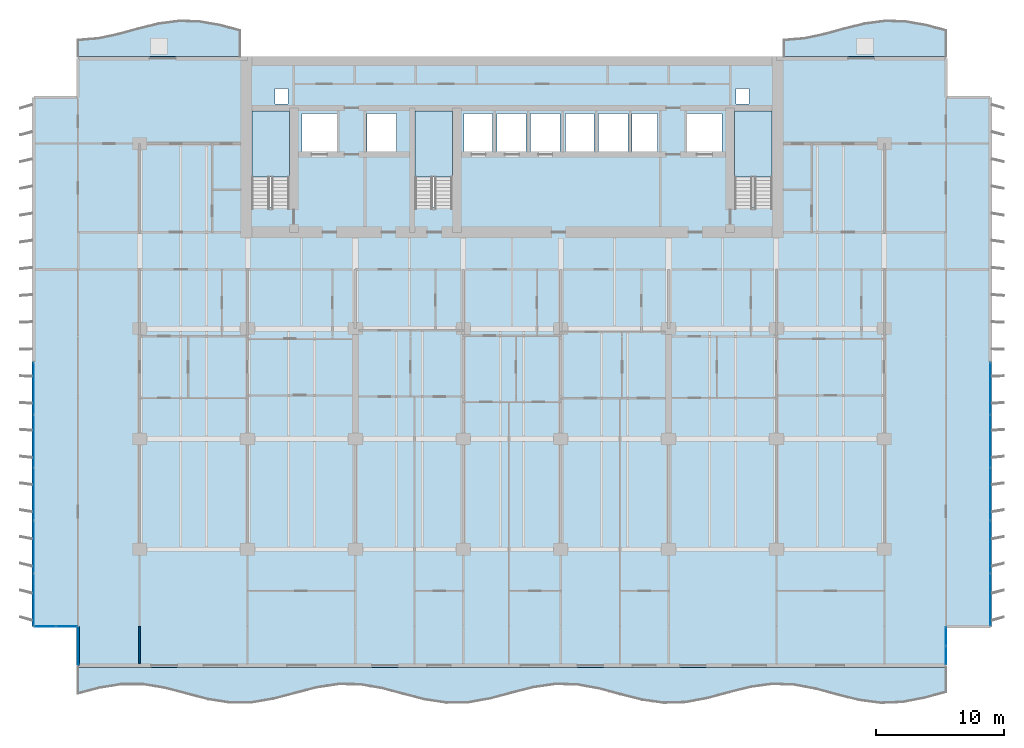
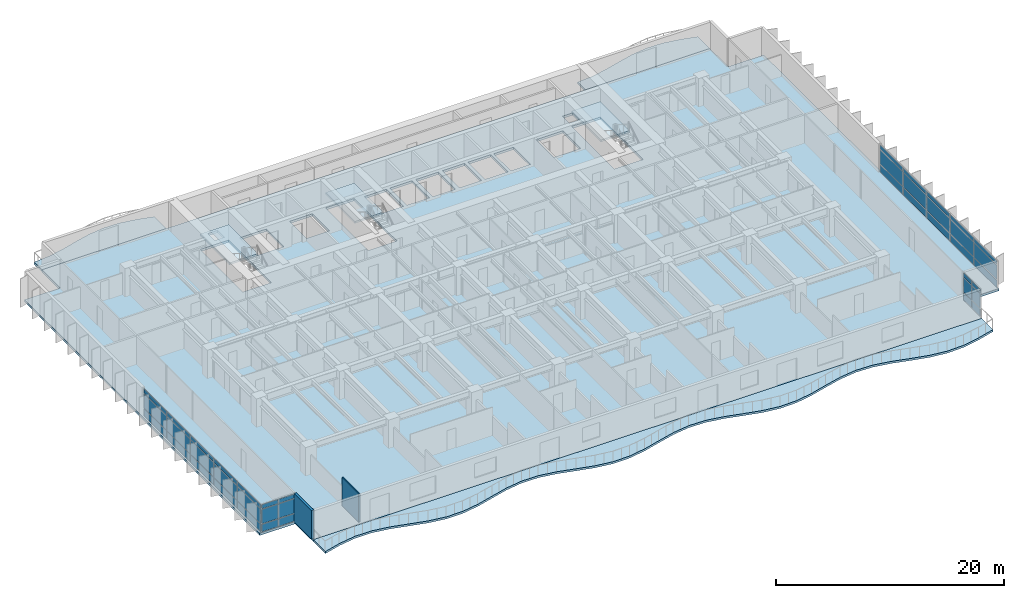
# One storey, part 5 of 18: 42 plates, 7 slabs, 2 walls, 7 elements without a shape of their own.
"""IFC4 building model written with IfcOpenShell, lengths in metres."""

from ifc_helpers import new_model, si_unit, direction, frame, frame_2d, origin, origin_2d, place, context, subcontext, project, spatial, polyline, rectangle, outline, extrude, material, layer, layer_set, type_object, element, aggregate, save


model = new_model("IFC4")

# Units and contexts
model_context = context("Model", 3, precision=1e-05, world=origin(), true_north=direction((0.0, 1.0)))
body_context = subcontext(model_context, "Body", "Model", "MODEL_VIEW")
ifc_project = project(units=[si_unit("LENGTHUNIT", "METRE"), si_unit("AREAUNIT", "SQUARE_METRE"), si_unit("VOLUMEUNIT", "CUBIC_METRE"), si_unit("PLANEANGLEUNIT", "RADIAN"), si_unit("MASSUNIT", "GRAM", prefix="KILO")], contexts=[model_context])

# Site, building, storey
site_placement = place(None, origin())
site = spatial("IfcSite", under=ifc_project, at=site_placement, CompositionType="ELEMENT")
building_placement = place(site_placement, origin())
building = spatial("IfcBuilding", under=site, at=building_placement, Name="Caelmar Bay Residences", CompositionType="ELEMENT")
storey_placement = place(building_placement, frame((0.0, 0.0, 46.5)))
storey = spatial("IfcBuildingStorey", under=building, at=storey_placement, Name="L11", CompositionType="ELEMENT", Elevation=46.5)

# Curtain wall, plates
ifc_material_1 = material(Name="Anodised bronze aluminium 6063-T6 and laminated glass", Category="aluminium")
ifc_layer_1 = layer(ifc_material_1, 0.179931640625)
ifc_layer_set_1 = layer_set([ifc_layer_1], Name="Anodised bronze aluminium 6063-T6 and laminated glass")
curtain_wall_type_1 = type_object("IfcCurtainWallType", Name="CW6-NTC", PredefinedType="NOTDEFINED", material=ifc_layer_set_1)
curtain_wall_1_placement = place(storey_placement, origin())
curtain_wall_1 = element("IfcCurtainWall", 1, at=curtain_wall_1_placement, inside=storey, type_object=curtain_wall_type_1, Name="CW6 curtain wall L11", PredefinedType="NOTDEFINED")
ifc_material_2 = material(Name="Bronze-tinted laminated low-E hurricane glass 28 mm", Category="glass")
ifc_layer_2 = layer(ifc_material_2, 0.028076171875)
ifc_layer_set_2 = layer_set([ifc_layer_2], Name="Bronze-tinted laminated low-E hurricane glass 28 mm")
plate_type = type_object("IfcPlateType", Name="CWP-GLZ28", PredefinedType="CURTAIN_PANEL", material=ifc_layer_set_2)
plate_1_placement = place(storey_placement, frame((2.532470703125, 6.199951171875, 0.080078125), z_axis=(0.0, 0.0, 1.0), x_axis=(1.0, 0.0, 0.0)))
plate_1 = element("IfcPlate", 2, at=plate_1_placement, type_object=plate_type, Name="CW6 panel 1.1", PredefinedType="CURTAIN_PANEL", context=body_context, shape_type="SweptSolid", body=[
    extrude(rectangle(XDim=1.60498046875, YDim=0.028076171875, at=origin_2d()), origin(), (0.0, 0.0, 1.0), 0.780029296875),
])
plate_2_placement = place(storey_placement, frame((2.532470703125, 6.199951171875, 0.93994140625), z_axis=(0.0, 0.0, 1.0), x_axis=(1.0, 0.0, 0.0)))
plate_2 = element("IfcPlate", 3, at=plate_2_placement, type_object=plate_type, Name="CW6 panel 1.2", PredefinedType="CURTAIN_PANEL", context=body_context, shape_type="SweptSolid", body=[
    extrude(rectangle(XDim=1.60498046875, YDim=0.028076171875, at=origin_2d()), origin(), (0.0, 0.0, 1.0), 1.52001953125),
])
plate_3_placement = place(storey_placement, frame((2.532470703125, 6.199951171875, 2.5400390625), z_axis=(0.0, 0.0, 1.0), x_axis=(1.0, 0.0, 0.0)))
plate_3 = element("IfcPlate", 4, at=plate_3_placement, type_object=plate_type, Name="CW6 panel 1.3", PredefinedType="CURTAIN_PANEL", context=body_context, shape_type="SweptSolid", body=[
    extrude(rectangle(XDim=1.60498046875, YDim=0.028076171875, at=origin_2d()), origin(), (0.0, 0.0, 1.0), 0.429931640625),
])
plate_4_placement = place(storey_placement, frame((4.217529296875, 6.199951171875, 0.080078125), z_axis=(0.0, 0.0, 1.0), x_axis=(1.0, 0.0, 0.0)))
plate_4 = element("IfcPlate", 5, at=plate_4_placement, type_object=plate_type, Name="CW6 panel 2.1", PredefinedType="CURTAIN_PANEL", context=body_context, shape_type="SweptSolid", body=[
    extrude(rectangle(XDim=1.60498046875, YDim=0.028076171875, at=origin_2d()), origin(), (0.0, 0.0, 1.0), 0.780029296875),
])
plate_5_placement = place(storey_placement, frame((4.217529296875, 6.199951171875, 0.93994140625), z_axis=(0.0, 0.0, 1.0), x_axis=(1.0, 0.0, 0.0)))
plate_5 = element("IfcPlate", 6, at=plate_5_placement, type_object=plate_type, Name="CW6 panel 2.2", PredefinedType="CURTAIN_PANEL", context=body_context, shape_type="SweptSolid", body=[
    extrude(rectangle(XDim=1.60498046875, YDim=0.028076171875, at=origin_2d()), origin(), (0.0, 0.0, 1.0), 1.52001953125),
])
plate_6_placement = place(storey_placement, frame((4.217529296875, 6.199951171875, 2.5400390625), z_axis=(0.0, 0.0, 1.0), x_axis=(1.0, 0.0, 0.0)))
plate_6 = element("IfcPlate", 7, at=plate_6_placement, type_object=plate_type, Name="CW6 panel 2.3", PredefinedType="CURTAIN_PANEL", context=body_context, shape_type="SweptSolid", body=[
    extrude(rectangle(XDim=1.60498046875, YDim=0.028076171875, at=origin_2d()), origin(), (0.0, 0.0, 1.0), 0.429931640625),
])
aggregate(curtain_wall_1, [plate_1, plate_2, plate_3, plate_4, plate_5, plate_6])

curtain_wall_2_placement = place(storey_placement, origin())
curtain_wall_2 = element("IfcCurtainWall", 8, at=curtain_wall_2_placement, inside=storey, type_object=curtain_wall_type_1, Name="CW6 curtain wall L11", PredefinedType="NOTDEFINED")
plate_7_placement = place(storey_placement, frame((72.699951171875, 3.9326171875, 0.080078125), z_axis=(0.0, 0.0, 1.0), x_axis=(0.0, 1.0, 0.0)))
plate_7 = element("IfcPlate", 9, at=plate_7_placement, type_object=plate_type, Name="CW6 panel 1.1", PredefinedType="CURTAIN_PANEL", context=body_context, shape_type="SweptSolid", body=[
    extrude(rectangle(XDim=1.405029296875, YDim=0.028076171875, at=origin_2d()), origin(), (0.0, 0.0, 1.0), 0.780029296875),
])
plate_8_placement = place(storey_placement, frame((72.699951171875, 3.9326171875, 0.93994140625), z_axis=(0.0, 0.0, 1.0), x_axis=(0.0, 1.0, 0.0)))
plate_8 = element("IfcPlate", 10, at=plate_8_placement, type_object=plate_type, Name="CW6 panel 1.2", PredefinedType="CURTAIN_PANEL", context=body_context, shape_type="SweptSolid", body=[
    extrude(rectangle(XDim=1.405029296875, YDim=0.028076171875, at=origin_2d()), origin(), (0.0, 0.0, 1.0), 1.52001953125),
])
plate_9_placement = place(storey_placement, frame((72.699951171875, 3.9326171875, 2.5400390625), z_axis=(0.0, 0.0, 1.0), x_axis=(0.0, 1.0, 0.0)))
plate_9 = element("IfcPlate", 11, at=plate_9_placement, type_object=plate_type, Name="CW6 panel 1.3", PredefinedType="CURTAIN_PANEL", context=body_context, shape_type="SweptSolid", body=[
    extrude(rectangle(XDim=1.405029296875, YDim=0.028076171875, at=origin_2d()), origin(), (0.0, 0.0, 1.0), 0.429931640625),
])
plate_10_placement = place(storey_placement, frame((72.699951171875, 5.41748046875, 0.080078125), z_axis=(0.0, 0.0, 1.0), x_axis=(0.0, 1.0, 0.0)))
plate_10 = element("IfcPlate", 12, at=plate_10_placement, type_object=plate_type, Name="CW6 panel 2.1", PredefinedType="CURTAIN_PANEL", context=body_context, shape_type="SweptSolid", body=[
    extrude(rectangle(XDim=1.405029296875, YDim=0.028076171875, at=origin_2d()), origin(), (0.0, 0.0, 1.0), 0.780029296875),
])
plate_11_placement = place(storey_placement, frame((72.699951171875, 5.41748046875, 0.93994140625), z_axis=(0.0, 0.0, 1.0), x_axis=(0.0, 1.0, 0.0)))
plate_11 = element("IfcPlate", 13, at=plate_11_placement, type_object=plate_type, Name="CW6 panel 2.2", PredefinedType="CURTAIN_PANEL", context=body_context, shape_type="SweptSolid", body=[
    extrude(rectangle(XDim=1.405029296875, YDim=0.028076171875, at=origin_2d()), origin(), (0.0, 0.0, 1.0), 1.52001953125),
])
plate_12_placement = place(storey_placement, frame((72.699951171875, 5.41748046875, 2.5400390625), z_axis=(0.0, 0.0, 1.0), x_axis=(0.0, 1.0, 0.0)))
plate_12 = element("IfcPlate", 14, at=plate_12_placement, type_object=plate_type, Name="CW6 panel 2.3", PredefinedType="CURTAIN_PANEL", context=body_context, shape_type="SweptSolid", body=[
    extrude(rectangle(XDim=1.405029296875, YDim=0.028076171875, at=origin_2d()), origin(), (0.0, 0.0, 1.0), 0.429931640625),
])
aggregate(curtain_wall_2, [plate_7, plate_8, plate_9, plate_10, plate_11, plate_12])

ifc_layer_3 = layer(ifc_material_1, 0.179931640625)
ifc_layer_set_3 = layer_set([ifc_layer_3], Name="Anodised bronze aluminium 6063-T6 and laminated glass")
curtain_wall_type_2 = type_object("IfcCurtainWallType", Name="CW2-Z1", PredefinedType="NOTDEFINED", material=ifc_layer_set_3)
curtain_wall_3_placement = place(storey_placement, origin())
curtain_wall_3 = element("IfcCurtainWall", 15, at=curtain_wall_3_placement, inside=storey, type_object=curtain_wall_type_2, Name="CW2 curtain wall L11", PredefinedType="NOTDEFINED")
plate_13_placement = place(storey_placement, frame((1.64990234375, 8.280029296875, 0.080078125), z_axis=(0.0, 0.0, 1.0), x_axis=(0.0, 1.0, 0.0)))
plate_13 = element("IfcPlate", 16, at=plate_13_placement, type_object=plate_type, Name="CW2 panel 1.1", PredefinedType="CURTAIN_PANEL", context=body_context, shape_type="SweptSolid", body=[
    extrude(rectangle(XDim=4.0, YDim=0.028076171875, at=origin_2d()), origin(), (0.0, 0.0, 1.0), 0.780029296875),
])
plate_14_placement = place(storey_placement, frame((1.64990234375, 8.280029296875, 0.93994140625), z_axis=(0.0, 0.0, 1.0), x_axis=(0.0, 1.0, 0.0)))
plate_14 = element("IfcPlate", 17, at=plate_14_placement, type_object=plate_type, Name="CW2 panel 1.2", PredefinedType="CURTAIN_PANEL", context=body_context, shape_type="SweptSolid", body=[
    extrude(rectangle(XDim=4.0, YDim=0.028076171875, at=origin_2d()), origin(), (0.0, 0.0, 1.0), 1.52001953125),
])
plate_15_placement = place(storey_placement, frame((1.64990234375, 8.280029296875, 2.5400390625), z_axis=(0.0, 0.0, 1.0), x_axis=(0.0, 1.0, 0.0)))
plate_15 = element("IfcPlate", 18, at=plate_15_placement, type_object=plate_type, Name="CW2 panel 1.3", PredefinedType="CURTAIN_PANEL", context=body_context, shape_type="SweptSolid", body=[
    extrude(rectangle(XDim=4.0, YDim=0.028076171875, at=origin_2d()), origin(), (0.0, 0.0, 1.0), 0.429931640625),
])
plate_16_placement = place(storey_placement, frame((1.64990234375, 12.3798828125, 0.080078125), z_axis=(0.0, 0.0, 1.0), x_axis=(0.0, 1.0, 0.0)))
plate_16 = element("IfcPlate", 19, at=plate_16_placement, type_object=plate_type, Name="CW2 panel 2.1", PredefinedType="CURTAIN_PANEL", context=body_context, shape_type="SweptSolid", body=[
    extrude(rectangle(XDim=4.0400390625, YDim=0.028076171875, at=origin_2d()), origin(), (0.0, 0.0, 1.0), 0.780029296875),
])
plate_17_placement = place(storey_placement, frame((1.64990234375, 12.3798828125, 0.93994140625), z_axis=(0.0, 0.0, 1.0), x_axis=(0.0, 1.0, 0.0)))
plate_17 = element("IfcPlate", 20, at=plate_17_placement, type_object=plate_type, Name="CW2 panel 2.2", PredefinedType="CURTAIN_PANEL", context=body_context, shape_type="SweptSolid", body=[
    extrude(rectangle(XDim=4.0400390625, YDim=0.028076171875, at=origin_2d()), origin(), (0.0, 0.0, 1.0), 1.52001953125),
])
plate_18_placement = place(storey_placement, frame((1.64990234375, 12.3798828125, 2.5400390625), z_axis=(0.0, 0.0, 1.0), x_axis=(0.0, 1.0, 0.0)))
plate_18 = element("IfcPlate", 21, at=plate_18_placement, type_object=plate_type, Name="CW2 panel 2.3", PredefinedType="CURTAIN_PANEL", context=body_context, shape_type="SweptSolid", body=[
    extrude(rectangle(XDim=4.0400390625, YDim=0.028076171875, at=origin_2d()), origin(), (0.0, 0.0, 1.0), 0.429931640625),
])
plate_19_placement = place(storey_placement, frame((1.64990234375, 16.5, 0.080078125), z_axis=(0.0, 0.0, 1.0), x_axis=(0.0, 1.0, 0.0)))
plate_19 = element("IfcPlate", 22, at=plate_19_placement, type_object=plate_type, Name="CW2 panel 3.1", PredefinedType="CURTAIN_PANEL", context=body_context, shape_type="SweptSolid", body=[
    extrude(rectangle(XDim=4.0400390625, YDim=0.028076171875, at=origin_2d()), origin(), (0.0, 0.0, 1.0), 0.780029296875),
])
plate_20_placement = place(storey_placement, frame((1.64990234375, 16.5, 0.93994140625), z_axis=(0.0, 0.0, 1.0), x_axis=(0.0, 1.0, 0.0)))
plate_20 = element("IfcPlate", 23, at=plate_20_placement, type_object=plate_type, Name="CW2 panel 3.2", PredefinedType="CURTAIN_PANEL", context=body_context, shape_type="SweptSolid", body=[
    extrude(rectangle(XDim=4.0400390625, YDim=0.028076171875, at=origin_2d()), origin(), (0.0, 0.0, 1.0), 1.52001953125),
])
plate_21_placement = place(storey_placement, frame((1.64990234375, 16.5, 2.5400390625), z_axis=(0.0, 0.0, 1.0), x_axis=(0.0, 1.0, 0.0)))
plate_21 = element("IfcPlate", 24, at=plate_21_placement, type_object=plate_type, Name="CW2 panel 3.3", PredefinedType="CURTAIN_PANEL", context=body_context, shape_type="SweptSolid", body=[
    extrude(rectangle(XDim=4.0400390625, YDim=0.028076171875, at=origin_2d()), origin(), (0.0, 0.0, 1.0), 0.429931640625),
])
plate_22_placement = place(storey_placement, frame((1.64990234375, 20.6201171875, 0.080078125), z_axis=(0.0, 0.0, 1.0), x_axis=(0.0, 1.0, 0.0)))
plate_22 = element("IfcPlate", 25, at=plate_22_placement, type_object=plate_type, Name="CW2 panel 4.1", PredefinedType="CURTAIN_PANEL", context=body_context, shape_type="SweptSolid", body=[
    extrude(rectangle(XDim=4.0400390625, YDim=0.028076171875, at=origin_2d()), origin(), (0.0, 0.0, 1.0), 0.780029296875),
])
plate_23_placement = place(storey_placement, frame((1.64990234375, 20.6201171875, 0.93994140625), z_axis=(0.0, 0.0, 1.0), x_axis=(0.0, 1.0, 0.0)))
plate_23 = element("IfcPlate", 26, at=plate_23_placement, type_object=plate_type, Name="CW2 panel 4.2", PredefinedType="CURTAIN_PANEL", context=body_context, shape_type="SweptSolid", body=[
    extrude(rectangle(XDim=4.0400390625, YDim=0.028076171875, at=origin_2d()), origin(), (0.0, 0.0, 1.0), 1.52001953125),
])
plate_24_placement = place(storey_placement, frame((1.64990234375, 20.6201171875, 2.5400390625), z_axis=(0.0, 0.0, 1.0), x_axis=(0.0, 1.0, 0.0)))
plate_24 = element("IfcPlate", 27, at=plate_24_placement, type_object=plate_type, Name="CW2 panel 4.3", PredefinedType="CURTAIN_PANEL", context=body_context, shape_type="SweptSolid", body=[
    extrude(rectangle(XDim=4.0400390625, YDim=0.028076171875, at=origin_2d()), origin(), (0.0, 0.0, 1.0), 0.429931640625),
])
plate_25_placement = place(storey_placement, frame((1.64990234375, 24.719970703125, 0.080078125), z_axis=(0.0, 0.0, 1.0), x_axis=(0.0, 1.0, 0.0)))
plate_25 = element("IfcPlate", 28, at=plate_25_placement, type_object=plate_type, Name="CW2 panel 5.1", PredefinedType="CURTAIN_PANEL", context=body_context, shape_type="SweptSolid", body=[
    extrude(rectangle(XDim=4.0, YDim=0.028076171875, at=origin_2d()), origin(), (0.0, 0.0, 1.0), 0.780029296875),
])
plate_26_placement = place(storey_placement, frame((1.64990234375, 24.719970703125, 0.93994140625), z_axis=(0.0, 0.0, 1.0), x_axis=(0.0, 1.0, 0.0)))
plate_26 = element("IfcPlate", 29, at=plate_26_placement, type_object=plate_type, Name="CW2 panel 5.2", PredefinedType="CURTAIN_PANEL", context=body_context, shape_type="SweptSolid", body=[
    extrude(rectangle(XDim=4.0, YDim=0.028076171875, at=origin_2d()), origin(), (0.0, 0.0, 1.0), 1.52001953125),
])
plate_27_placement = place(storey_placement, frame((1.64990234375, 24.719970703125, 2.5400390625), z_axis=(0.0, 0.0, 1.0), x_axis=(0.0, 1.0, 0.0)))
plate_27 = element("IfcPlate", 30, at=plate_27_placement, type_object=plate_type, Name="CW2 panel 5.3", PredefinedType="CURTAIN_PANEL", context=body_context, shape_type="SweptSolid", body=[
    extrude(rectangle(XDim=4.0, YDim=0.028076171875, at=origin_2d()), origin(), (0.0, 0.0, 1.0), 0.429931640625),
])
aggregate(curtain_wall_3, [plate_13, plate_14, plate_15, plate_16, plate_17, plate_18, plate_19, plate_20, plate_21, plate_22, plate_23, plate_24, plate_25, plate_26, plate_27])

curtain_wall_4_placement = place(storey_placement, origin())
curtain_wall_4 = element("IfcCurtainWall", 31, at=curtain_wall_4_placement, inside=storey, type_object=curtain_wall_type_2, Name="CW2 curtain wall L11", PredefinedType="NOTDEFINED")
plate_28_placement = place(storey_placement, frame((76.14990234375, 24.719970703125, 0.080078125), z_axis=(0.0, 0.0, 1.0), x_axis=(0.0, -1.0, 0.0)))
plate_28 = element("IfcPlate", 32, at=plate_28_placement, type_object=plate_type, Name="CW2 panel 1.1", PredefinedType="CURTAIN_PANEL", context=body_context, shape_type="SweptSolid", body=[
    extrude(rectangle(XDim=4.0, YDim=0.028076171875, at=origin_2d()), origin(), (0.0, 0.0, 1.0), 0.780029296875),
])
plate_29_placement = place(storey_placement, frame((76.14990234375, 24.719970703125, 0.93994140625), z_axis=(0.0, 0.0, 1.0), x_axis=(0.0, -1.0, 0.0)))
plate_29 = element("IfcPlate", 33, at=plate_29_placement, type_object=plate_type, Name="CW2 panel 1.2", PredefinedType="CURTAIN_PANEL", context=body_context, shape_type="SweptSolid", body=[
    extrude(rectangle(XDim=4.0, YDim=0.028076171875, at=origin_2d()), origin(), (0.0, 0.0, 1.0), 1.52001953125),
])
plate_30_placement = place(storey_placement, frame((76.14990234375, 24.719970703125, 2.5400390625), z_axis=(0.0, 0.0, 1.0), x_axis=(0.0, -1.0, 0.0)))
plate_30 = element("IfcPlate", 34, at=plate_30_placement, type_object=plate_type, Name="CW2 panel 1.3", PredefinedType="CURTAIN_PANEL", context=body_context, shape_type="SweptSolid", body=[
    extrude(rectangle(XDim=4.0, YDim=0.028076171875, at=origin_2d()), origin(), (0.0, 0.0, 1.0), 0.429931640625),
])
plate_31_placement = place(storey_placement, frame((76.14990234375, 20.6201171875, 0.080078125), z_axis=(0.0, 0.0, 1.0), x_axis=(0.0, -1.0, 0.0)))
plate_31 = element("IfcPlate", 35, at=plate_31_placement, type_object=plate_type, Name="CW2 panel 2.1", PredefinedType="CURTAIN_PANEL", context=body_context, shape_type="SweptSolid", body=[
    extrude(rectangle(XDim=4.0400390625, YDim=0.028076171875, at=origin_2d()), origin(), (0.0, 0.0, 1.0), 0.780029296875),
])
plate_32_placement = place(storey_placement, frame((76.14990234375, 20.6201171875, 0.93994140625), z_axis=(0.0, 0.0, 1.0), x_axis=(0.0, -1.0, 0.0)))
plate_32 = element("IfcPlate", 36, at=plate_32_placement, type_object=plate_type, Name="CW2 panel 2.2", PredefinedType="CURTAIN_PANEL", context=body_context, shape_type="SweptSolid", body=[
    extrude(rectangle(XDim=4.0400390625, YDim=0.028076171875, at=origin_2d()), origin(), (0.0, 0.0, 1.0), 1.52001953125),
])
plate_33_placement = place(storey_placement, frame((76.14990234375, 20.6201171875, 2.5400390625), z_axis=(0.0, 0.0, 1.0), x_axis=(0.0, -1.0, 0.0)))
plate_33 = element("IfcPlate", 37, at=plate_33_placement, type_object=plate_type, Name="CW2 panel 2.3", PredefinedType="CURTAIN_PANEL", context=body_context, shape_type="SweptSolid", body=[
    extrude(rectangle(XDim=4.0400390625, YDim=0.028076171875, at=origin_2d()), origin(), (0.0, 0.0, 1.0), 0.429931640625),
])
plate_34_placement = place(storey_placement, frame((76.14990234375, 16.5, 0.080078125), z_axis=(0.0, 0.0, 1.0), x_axis=(0.0, -1.0, 0.0)))
plate_34 = element("IfcPlate", 38, at=plate_34_placement, type_object=plate_type, Name="CW2 panel 3.1", PredefinedType="CURTAIN_PANEL", context=body_context, shape_type="SweptSolid", body=[
    extrude(rectangle(XDim=4.0400390625, YDim=0.028076171875, at=origin_2d()), origin(), (0.0, 0.0, 1.0), 0.780029296875),
])
plate_35_placement = place(storey_placement, frame((76.14990234375, 16.5, 0.93994140625), z_axis=(0.0, 0.0, 1.0), x_axis=(0.0, -1.0, 0.0)))
plate_35 = element("IfcPlate", 39, at=plate_35_placement, type_object=plate_type, Name="CW2 panel 3.2", PredefinedType="CURTAIN_PANEL", context=body_context, shape_type="SweptSolid", body=[
    extrude(rectangle(XDim=4.0400390625, YDim=0.028076171875, at=origin_2d()), origin(), (0.0, 0.0, 1.0), 1.52001953125),
])
plate_36_placement = place(storey_placement, frame((76.14990234375, 16.5, 2.5400390625), z_axis=(0.0, 0.0, 1.0), x_axis=(0.0, -1.0, 0.0)))
plate_36 = element("IfcPlate", 40, at=plate_36_placement, type_object=plate_type, Name="CW2 panel 3.3", PredefinedType="CURTAIN_PANEL", context=body_context, shape_type="SweptSolid", body=[
    extrude(rectangle(XDim=4.0400390625, YDim=0.028076171875, at=origin_2d()), origin(), (0.0, 0.0, 1.0), 0.429931640625),
])
plate_37_placement = place(storey_placement, frame((76.14990234375, 12.3798828125, 0.080078125), z_axis=(0.0, 0.0, 1.0), x_axis=(0.0, -1.0, 0.0)))
plate_37 = element("IfcPlate", 41, at=plate_37_placement, type_object=plate_type, Name="CW2 panel 4.1", PredefinedType="CURTAIN_PANEL", context=body_context, shape_type="SweptSolid", body=[
    extrude(rectangle(XDim=4.0400390625, YDim=0.028076171875, at=origin_2d()), origin(), (0.0, 0.0, 1.0), 0.780029296875),
])
plate_38_placement = place(storey_placement, frame((76.14990234375, 12.3798828125, 0.93994140625), z_axis=(0.0, 0.0, 1.0), x_axis=(0.0, -1.0, 0.0)))
plate_38 = element("IfcPlate", 42, at=plate_38_placement, type_object=plate_type, Name="CW2 panel 4.2", PredefinedType="CURTAIN_PANEL", context=body_context, shape_type="SweptSolid", body=[
    extrude(rectangle(XDim=4.0400390625, YDim=0.028076171875, at=origin_2d()), origin(), (0.0, 0.0, 1.0), 1.52001953125),
])
plate_39_placement = place(storey_placement, frame((76.14990234375, 12.3798828125, 2.5400390625), z_axis=(0.0, 0.0, 1.0), x_axis=(0.0, -1.0, 0.0)))
plate_39 = element("IfcPlate", 43, at=plate_39_placement, type_object=plate_type, Name="CW2 panel 4.3", PredefinedType="CURTAIN_PANEL", context=body_context, shape_type="SweptSolid", body=[
    extrude(rectangle(XDim=4.0400390625, YDim=0.028076171875, at=origin_2d()), origin(), (0.0, 0.0, 1.0), 0.429931640625),
])
plate_40_placement = place(storey_placement, frame((76.14990234375, 8.280029296875, 0.080078125), z_axis=(0.0, 0.0, 1.0), x_axis=(0.0, -1.0, 0.0)))
plate_40 = element("IfcPlate", 44, at=plate_40_placement, type_object=plate_type, Name="CW2 panel 5.1", PredefinedType="CURTAIN_PANEL", context=body_context, shape_type="SweptSolid", body=[
    extrude(rectangle(XDim=4.0, YDim=0.028076171875, at=origin_2d()), origin(), (0.0, 0.0, 1.0), 0.780029296875),
])
plate_41_placement = place(storey_placement, frame((76.14990234375, 8.280029296875, 0.93994140625), z_axis=(0.0, 0.0, 1.0), x_axis=(0.0, -1.0, 0.0)))
plate_41 = element("IfcPlate", 45, at=plate_41_placement, type_object=plate_type, Name="CW2 panel 5.2", PredefinedType="CURTAIN_PANEL", context=body_context, shape_type="SweptSolid", body=[
    extrude(rectangle(XDim=4.0, YDim=0.028076171875, at=origin_2d()), origin(), (0.0, 0.0, 1.0), 1.52001953125),
])
plate_42_placement = place(storey_placement, frame((76.14990234375, 8.280029296875, 2.5400390625), z_axis=(0.0, 0.0, 1.0), x_axis=(0.0, -1.0, 0.0)))
plate_42 = element("IfcPlate", 46, at=plate_42_placement, type_object=plate_type, Name="CW2 panel 5.3", PredefinedType="CURTAIN_PANEL", context=body_context, shape_type="SweptSolid", body=[
    extrude(rectangle(XDim=4.0, YDim=0.028076171875, at=origin_2d()), origin(), (0.0, 0.0, 1.0), 0.429931640625),
])
aggregate(curtain_wall_4, [plate_28, plate_29, plate_30, plate_31, plate_32, plate_33, plate_34, plate_35, plate_36, plate_37, plate_38, plate_39, plate_40, plate_41, plate_42])

# Slabs
ifc_material_3 = material(Name="Concrete f'c 40 MPa (6,000 psi)", Category="concrete")
ifc_layer_4 = layer(ifc_material_3, 0.219970703125)
ifc_layer_set_4 = layer_set([ifc_layer_4], Name="Concrete f'c 40 MPa (6,000 psi)")
slab_type_1 = type_object("IfcSlabType", Name="SLB-BAL-220", PredefinedType="FLOOR", material=ifc_layer_set_4)
slab_1_placement = place(storey_placement, frame((0.0, 0.0, -0.219970703125)))
element("IfcSlab", 47, at=slab_1_placement, inside=storey, type_object=slab_type_1, Name="L11 Sinusoidal Tree-Balcony Slab south", PredefinedType="FLOOR", context=body_context, shape_type="SweptSolid", body=[
    extrude(outline(polyline([(5.10009765625, 0.89990234375), (6.7900390625, 1.343017578125), (8.47998046875, 1.614990234375), (10.169921875, 1.610595703125), (11.860107421875, 1.331787109375), (13.550048828125, 0.885986328125), (15.239990234375, 0.44580078125), (16.929931640625, 0.180908203125), (18.6201171875, 0.194091796875), (20.31005859375, 0.479736328125), (22.0, 0.927978515625), (23.68994140625, 1.365478515625), (25.3798828125, 1.623046875), (27.070068359375, 1.601318359375), (28.760009765625, 1.30859375), (30.449951171875, 0.85791015625), (32.139892578125, 0.423583984375), (33.830078125, 0.17333984375), (35.52001953125, 0.203857421875), (37.2099609375, 0.50341796875), (38.89990234375, 0.9560546875), (40.590087890625, 1.38720703125), (42.280029296875, 1.6298828125), (43.969970703125, 1.5908203125), (45.659912109375, 1.28466796875), (47.35009765625, 0.830078125), (49.0400390625, 0.40234375), (50.72998046875, 0.1669921875), (52.419921875, 0.21484375), (54.110107421875, 0.52734375), (55.800048828125, 0.98388671875), (57.489990234375, 1.408203125), (59.179931640625, 1.635986328125), (60.8701171875, 1.579345703125), (62.56005859375, 1.26025390625), (64.25, 0.802001953125), (65.93994140625, 0.381591796875), (67.6298828125, 0.16162109375), (69.320068359375, 0.226806640625), (71.010009765625, 0.552001953125), (72.699951171875, 1.01171875), (72.699951171875, 3.0), (5.10009765625, 3.0), (5.10009765625, 0.89990234375)])), origin(), (0.0, 0.0, 1.0), 0.219970703125),
])
slab_2_placement = place(storey_placement, frame((0.0, 0.0, -0.219970703125)))
element("IfcSlab", 48, at=slab_2_placement, inside=storey, type_object=slab_type_1, Name="L11 Sinusoidal Tree-Balcony Slab north_west", PredefinedType="FLOOR", context=body_context, shape_type="SweptSolid", body=[
    extrude(outline(polyline([(5.10009765625, 50.60009765625), (17.699951171875, 50.60009765625), (17.699951171875, 52.699951171875), (16.125, 53.11669921875), (14.550048828125, 53.392822265625), (12.97509765625, 53.435546875), (11.39990234375, 53.230224609375), (9.824951171875, 52.84619140625), (8.25, 52.4130859375), (6.675048828125, 52.076416015625), (5.10009765625, 51.949951171875), (5.10009765625, 50.60009765625)])), origin(), (0.0, 0.0, 1.0), 0.219970703125),
])
slab_3_placement = place(storey_placement, frame((0.0, 0.0, -0.219970703125)))
element("IfcSlab", 49, at=slab_3_placement, inside=storey, type_object=slab_type_1, Name="L11 Sinusoidal Tree-Balcony Slab north_east", PredefinedType="FLOOR", context=body_context, shape_type="SweptSolid", body=[
    extrude(outline(polyline([(60.10009765625, 50.60009765625), (72.699951171875, 50.60009765625), (72.699951171875, 52.699951171875), (71.125, 53.11669921875), (69.550048828125, 53.392822265625), (67.97509765625, 53.435546875), (66.39990234375, 53.230224609375), (64.824951171875, 52.84619140625), (63.25, 52.4130859375), (61.675048828125, 52.076416015625), (60.10009765625, 51.949951171875), (60.10009765625, 50.60009765625)])), origin(), (0.0, 0.0, 1.0), 0.219970703125),
])

# Stair, slab
stair_type = type_object("IfcStairType", Name="ST-TYP-165", PredefinedType="HALF_TURN_STAIR", material=ifc_material_3)
stair_1_placement = place(storey_placement, origin())
stair_1 = element("IfcStair", 50, at=stair_1_placement, inside=storey, type_object=stair_type, Name="L11 West Smokeproof Exit Stair ST1", PredefinedType="HALF_TURN_STAIR")
ifc_layer_5 = layer(ifc_material_3, 0.199951171875)
ifc_layer_set_5 = layer_set([ifc_layer_5], Name="Concrete f'c 40 MPa (6,000 psi)")
slab_type_2 = type_object("IfcSlabType", Name="SLB-LND-200", PredefinedType="LANDING", material=ifc_layer_set_5)
slab_4_placement = place(storey_placement, frame((0.0, 0.0, 1.449951171875)))
slab_4 = element("IfcSlab", 51, at=slab_4_placement, type_object=slab_type_2, Name="ST1 landing 1", PredefinedType="LANDING", context=body_context, shape_type="SweptSolid", body=[
    extrude(outline(polyline([(21.550048828125, 41.219970703125), (21.550048828125, 46.35009765625), (18.64990234375, 46.35009765625), (18.64990234375, 41.219970703125), (21.550048828125, 41.219970703125)])), origin(), (0.0, 0.0, 1.0), 0.199951171875),
])
aggregate(stair_1, [slab_4])

stair_2_placement = place(storey_placement, origin())
stair_2 = element("IfcStair", 52, at=stair_2_placement, inside=storey, type_object=stair_type, Name="L11 East Smokeproof Exit Stair ST2", PredefinedType="HALF_TURN_STAIR")
slab_5_placement = place(storey_placement, frame((0.0, 0.0, 1.449951171875)))
slab_5 = element("IfcSlab", 53, at=slab_5_placement, type_object=slab_type_2, Name="ST2 landing 1", PredefinedType="LANDING", context=body_context, shape_type="SweptSolid", body=[
    extrude(outline(polyline([(59.14990234375, 41.219970703125), (59.14990234375, 46.35009765625), (56.25, 46.35009765625), (56.25, 41.219970703125), (59.14990234375, 41.219970703125)])), origin(), (0.0, 0.0, 1.0), 0.199951171875),
])
aggregate(stair_2, [slab_5])

stair_3_placement = place(storey_placement, origin())
stair_3 = element("IfcStair", 54, at=stair_3_placement, inside=storey, type_object=stair_type, Name="L11 Central Smokeproof Exit Stair ST3", PredefinedType="HALF_TURN_STAIR")
slab_6_placement = place(storey_placement, frame((0.0, 0.0, 1.449951171875)))
slab_6 = element("IfcSlab", 55, at=slab_6_placement, type_object=slab_type_2, Name="ST3 landing 1", PredefinedType="LANDING", context=body_context, shape_type="SweptSolid", body=[
    extrude(outline(polyline([(34.25, 41.219970703125), (34.25, 46.35009765625), (31.35009765625, 46.35009765625), (31.35009765625, 41.219970703125), (34.25, 41.219970703125)])), origin(), (0.0, 0.0, 1.0), 0.199951171875),
])
aggregate(stair_3, [slab_6])

# Slab
ifc_layer_6 = layer(ifc_material_3, 0.25)
ifc_layer_set_6 = layer_set([ifc_layer_6], Name="Concrete f'c 40 MPa (6,000 psi)")
slab_type_3 = type_object("IfcSlabType", Name="SLB-RES-250", PredefinedType="FLOOR", material=ifc_layer_set_6)
slab_7_placement = place(storey_placement, frame((0.0, 0.0, -0.25)))
element("IfcSlab", 56, at=slab_7_placement, inside=storey, type_object=slab_type_3, Name="L11 Structural Floor Slab", PredefinedType="FLOOR", context=body_context, shape_type="SweptSolid", body=[
    extrude(outline(polyline([(5.10009765625, 3.0), (72.699951171875, 3.0), (72.699951171875, 6.199951171875), (76.300048828125, 6.199951171875), (76.300048828125, 47.39990234375), (72.699951171875, 47.39990234375), (72.699951171875, 50.60009765625), (5.10009765625, 50.60009765625), (5.10009765625, 47.39990234375), (1.5, 47.39990234375), (1.5, 6.199951171875), (5.10009765625, 6.199951171875), (5.10009765625, 3.0)]), holes=[polyline([(18.64990234375, 38.85009765625), (21.550048828125, 38.85009765625), (21.550048828125, 46.35009765625), (18.64990234375, 46.35009765625), (18.64990234375, 38.85009765625)]), polyline([(56.25, 38.85009765625), (59.14990234375, 38.85009765625), (59.14990234375, 46.35009765625), (56.25, 46.35009765625), (56.25, 38.85009765625)]), polyline([(31.35009765625, 38.85009765625), (34.25, 38.85009765625), (34.25, 46.35009765625), (31.35009765625, 46.35009765625), (31.35009765625, 38.85009765625)]), polyline([(22.550048828125, 43.050048828125), (25.25, 43.050048828125), (25.25, 46.14990234375), (22.550048828125, 46.14990234375), (22.550048828125, 43.050048828125)]), polyline([(52.550048828125, 43.050048828125), (55.25, 43.050048828125), (55.25, 46.14990234375), (52.550048828125, 46.14990234375), (52.550048828125, 43.050048828125)]), polyline([(35.14990234375, 43.14990234375), (37.39990234375, 43.14990234375), (37.39990234375, 46.14990234375), (35.14990234375, 46.14990234375), (35.14990234375, 43.14990234375)]), polyline([(37.75, 43.14990234375), (40.0, 43.14990234375), (40.0, 46.14990234375), (37.75, 46.14990234375), (37.75, 43.14990234375)]), polyline([(40.35009765625, 43.14990234375), (42.64990234375, 43.14990234375), (42.64990234375, 46.14990234375), (40.35009765625, 46.14990234375), (40.35009765625, 43.14990234375)]), polyline([(43.050048828125, 43.14990234375), (45.300048828125, 43.14990234375), (45.300048828125, 46.14990234375), (43.050048828125, 46.14990234375), (43.050048828125, 43.14990234375)]), polyline([(45.64990234375, 43.14990234375), (47.949951171875, 43.14990234375), (47.949951171875, 46.14990234375), (45.64990234375, 46.14990234375), (45.64990234375, 43.14990234375)]), polyline([(48.25, 43.14990234375), (50.25, 43.14990234375), (50.25, 46.14990234375), (48.25, 46.14990234375), (48.25, 43.14990234375)]), polyline([(27.60009765625, 43.14990234375), (29.89990234375, 43.14990234375), (29.89990234375, 46.14990234375), (27.60009765625, 46.14990234375), (27.60009765625, 43.14990234375)]), polyline([(20.449951171875, 46.89990234375), (21.449951171875, 46.89990234375), (21.449951171875, 48.10009765625), (20.449951171875, 48.10009765625), (20.449951171875, 46.89990234375)]), polyline([(56.35009765625, 46.89990234375), (57.35009765625, 46.89990234375), (57.35009765625, 48.10009765625), (56.35009765625, 48.10009765625), (56.35009765625, 46.89990234375)])]), origin(), (0.0, 0.0, 1.0), 0.25),
])

# Walls
ifc_material_4 = material(Name="Precast concrete f'c 40 MPa (6,000 psi)", Category="concrete")
ifc_layer_7 = layer(ifc_material_4, 0.25)
ifc_layer_set_7 = layer_set([ifc_layer_7], Name="Precast concrete f'c 40 MPa (6,000 psi)")
wall_type_1 = type_object("IfcWallType", Name="W-EXT-250", PredefinedType="ELEMENTEDWALL", material=ifc_layer_set_7)
wall_1_placement = place(storey_placement, frame((5.10009765625, 6.199951171875, 0.0), z_axis=(0.0, 0.0, 1.0), x_axis=(0.0, -1.0, 0.0)))
element("IfcWall", 57, at=wall_1_placement, inside=storey, type_object=wall_type_1, Name="L11 SW Notch Return Wall", PredefinedType="ELEMENTEDWALL", context=body_context, shape_type="SweptSolid", body=[
    extrude(rectangle(XDim=3.050048828125, YDim=0.25, at=frame_2d((1.52490234375, 0.0))), origin(), (0.0, 0.0, 1.0), 3.050048828125),
])
ifc_material_5 = material(Name="Acoustic metal-stud gypsum partition 120 mm")
ifc_layer_8 = layer(ifc_material_5, 0.1201171875)
ifc_layer_set_8 = layer_set([ifc_layer_8], Name="Acoustic metal-stud gypsum partition 120 mm")
wall_type_2 = type_object("IfcWallType", Name="W-PRT-120", PredefinedType="PARTITIONING", material=ifc_layer_set_8)
wall_2_placement = place(storey_placement, frame((9.89990234375, 3.294921875, 0.0), z_axis=(0.0, 0.0, 1.0), x_axis=(0.0, 1.0, 0.0)))
element("IfcWall", 58, at=wall_2_placement, inside=storey, type_object=wall_type_2, Name="L11 Partition Wall V008", PredefinedType="PARTITIONING", context=body_context, shape_type="SweptSolid", body=[
    extrude(rectangle(XDim=2.905029296875, YDim=0.1201171875, at=frame_2d((1.45263671875, 0.0))), origin(), (0.0, 0.0, 1.0), 3.050048828125),
])

save(model, "model.ifc")
